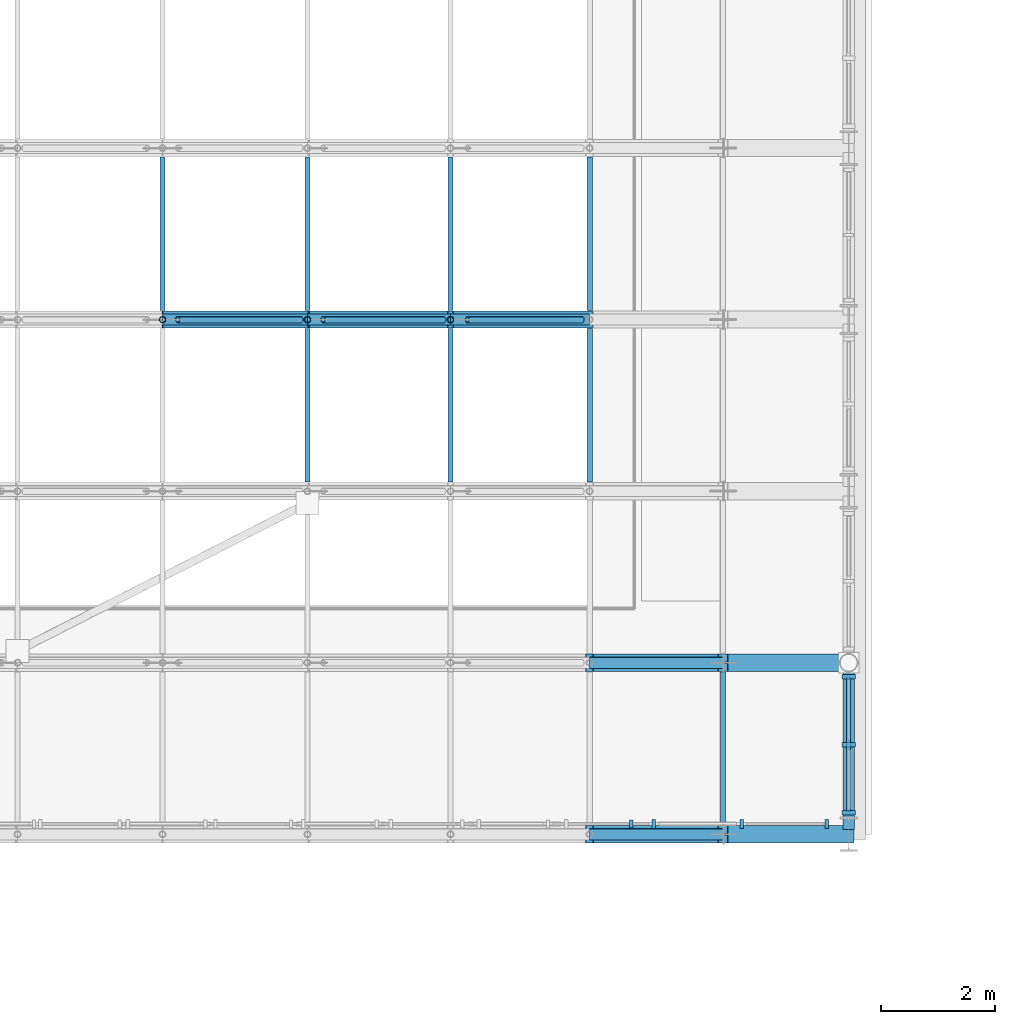
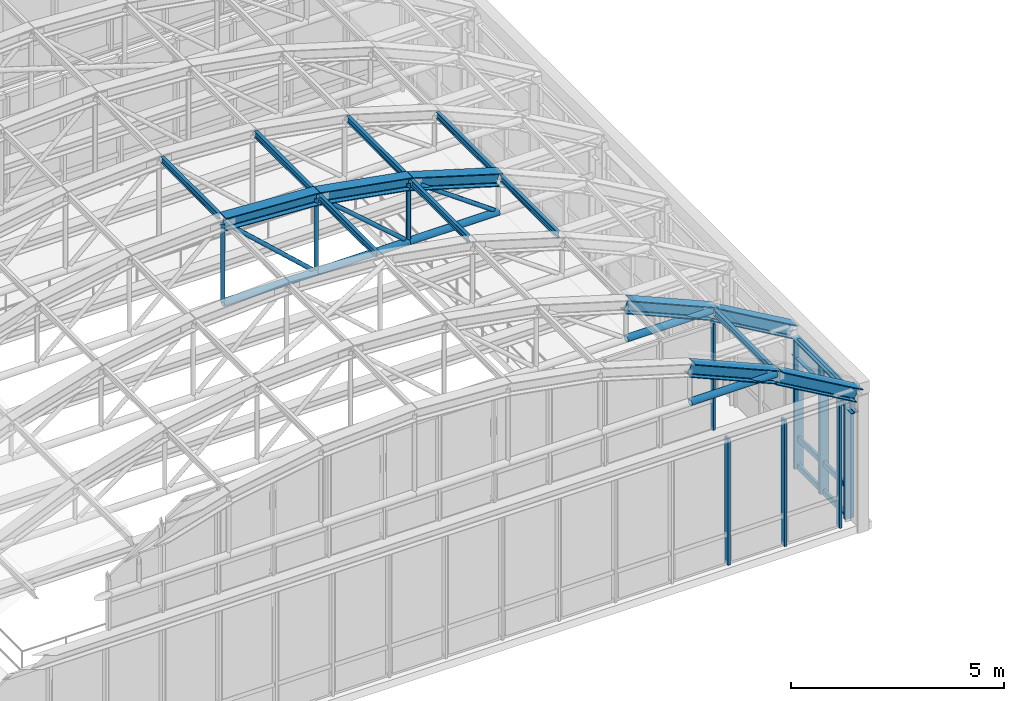
# One storey, part 62 of 148: 21 members, 16 beams, 3 elements without a shape of their own.
"""IFC4 building model written with IfcOpenShell, lengths in metres."""

from ifc_helpers import new_model, si_unit, direction, frame, origin, origin_2d, place, context, subcontext, project, spatial, rectangle, hollow_circle, i_section, extrude, material, layer, layer_set, material_profile, profile_set, type_object, element, aggregate, save


model = new_model("IFC4")

# Units and contexts
model_context = context("Model", 3, precision=1e-05, world=origin(), true_north=direction((0.0, 1.0)))
body_context = subcontext(model_context, "Body", "Model", "MODEL_VIEW")
ifc_project = project(units=[si_unit("LENGTHUNIT", "METRE"), si_unit("AREAUNIT", "SQUARE_METRE"), si_unit("VOLUMEUNIT", "CUBIC_METRE"), si_unit("PLANEANGLEUNIT", "RADIAN"), si_unit("MASSUNIT", "GRAM", prefix="KILO"), si_unit("THERMODYNAMICTEMPERATUREUNIT", "KELVIN"), si_unit("POWERUNIT", "WATT")], contexts=[model_context])

# Site, building, storey
site_placement = place(None, origin())
site = spatial("IfcSite", under=ifc_project, at=site_placement, CompositionType="ELEMENT")
building_placement = place(site_placement, origin())
building = spatial("IfcBuilding", under=site, at=building_placement, Name="Solvatero Civic Police Headquarters", CompositionType="ELEMENT")
storey_placement = place(building_placement, frame((0.0, 0.0, 5.10009765625)))
storey = spatial("IfcBuildingStorey", under=building, at=storey_placement, Name="L01", CompositionType="ELEMENT", Elevation=5.10009765625)

# Beams
ifc_material_1 = material(Name="Steel S355", Category="steel")
ifc_material_profile_1 = material_profile(ifc_material_1, i_section(OverallWidth=0.300048828125, OverallDepth=0.360107421875, WebThickness=0.012451171875, FlangeThickness=0.0224609375, FilletRadius=0.027099609375, at=origin_2d()), Name="HEB 360")
ifc_profile_set_1 = profile_set([ifc_material_profile_1], Name="Steel S355")
beam_type_1 = type_object("IfcBeamType", Name="BM-ST-HEB360", PredefinedType="BEAM", material=ifc_profile_set_1)
beam_1_placement = place(storey_placement, frame((84.27001953125, 41.5, 6.109619140625), z_axis=(0.917917593787, 0.0, -0.396771081377), x_axis=(0.0, 1.0, 0.0)))
element("IfcBeam", 1, at=beam_1_placement, inside=storey, type_object=beam_type_1, Name="VLT2 Tied-Arch Vault Top Chord F1.9", PredefinedType="BEAM", context=body_context, shape_type="SweptSolid", body=[
    extrude(i_section(OverallWidth=0.300048828125, OverallDepth=0.360107421875, WebThickness=0.012451171875, FlangeThickness=0.0224609375, FilletRadius=0.027099609375, at=origin_2d()), origin(), (0.0, 0.0, 1.0), 2.5400390625),
])
beam_2_placement = place(storey_placement, frame((86.6015625, 41.5, 5.079345703125), z_axis=(0.865485501766, 0.0, -0.500933973926), x_axis=(0.0, 1.0, 0.0)))
element("IfcBeam", 2, at=beam_2_placement, inside=storey, type_object=beam_type_1, Name="VLT2 Tied-Arch Vault Top Chord F1.10", PredefinedType="BEAM", context=body_context, shape_type="SweptSolid", body=[
    extrude(i_section(OverallWidth=0.300048828125, OverallDepth=0.360107421875, WebThickness=0.012451171875, FlangeThickness=0.0224609375, FilletRadius=0.027099609375, at=origin_2d()), origin(), (0.0, 0.0, 1.0), 2.540283203125),
])
beam_3_placement = place(storey_placement, frame((84.27001953125, 44.5, 6.109619140625), z_axis=(0.917917593787, 0.0, -0.396771081377), x_axis=(0.0, 1.0, 0.0)))
element("IfcBeam", 3, at=beam_3_placement, inside=storey, type_object=beam_type_1, Name="VLT2 Tied-Arch Vault Top Chord F2.9", PredefinedType="BEAM", context=body_context, shape_type="SweptSolid", body=[
    extrude(i_section(OverallWidth=0.300048828125, OverallDepth=0.360107421875, WebThickness=0.012451171875, FlangeThickness=0.0224609375, FilletRadius=0.027099609375, at=origin_2d()), origin(), (0.0, 0.0, 1.0), 2.5400390625),
])
beam_4_placement = place(storey_placement, frame((86.6015625, 44.5, 5.079345703125), z_axis=(0.865485501766, 0.0, -0.500933973926), x_axis=(0.0, 1.0, 0.0)))
element("IfcBeam", 4, at=beam_4_placement, inside=storey, type_object=beam_type_1, Name="VLT2 Tied-Arch Vault Top Chord F2.10", PredefinedType="BEAM", context=body_context, shape_type="SweptSolid", body=[
    extrude(i_section(OverallWidth=0.300048828125, OverallDepth=0.360107421875, WebThickness=0.012451171875, FlangeThickness=0.0224609375, FilletRadius=0.027099609375, at=origin_2d()), origin(), (0.0, 0.0, 1.0), 2.540283203125),
])
beam_5_placement = place(storey_placement, frame((76.800048828125, 50.5, 7.459228515625), z_axis=(0.99830210262, 0.0, -0.058248707316), x_axis=(0.0, 1.0, 0.0)))
element("IfcBeam", 5, at=beam_5_placement, inside=storey, type_object=beam_type_1, Name="VLT2 Tied-Arch Vault Top Chord F4.6", PredefinedType="BEAM", context=body_context, shape_type="SweptSolid", body=[
    extrude(i_section(OverallWidth=0.300048828125, OverallDepth=0.360107421875, WebThickness=0.012451171875, FlangeThickness=0.0224609375, FilletRadius=0.027099609375, at=origin_2d()), origin(), (0.0, 0.0, 1.0), 2.5400390625),
])
beam_6_placement = place(storey_placement, frame((79.335693359375, 50.5, 7.306640625), z_axis=(0.984752581279, 0.0, -0.173960781975), x_axis=(0.0, 1.0, 0.0)))
element("IfcBeam", 6, at=beam_6_placement, inside=storey, type_object=beam_type_1, Name="VLT2 Tied-Arch Vault Top Chord F4.7", PredefinedType="BEAM", context=body_context, shape_type="SweptSolid", body=[
    extrude(i_section(OverallWidth=0.300048828125, OverallDepth=0.360107421875, WebThickness=0.012451171875, FlangeThickness=0.0224609375, FilletRadius=0.027099609375, at=origin_2d()), origin(), (0.0, 0.0, 1.0), 2.540283203125),
])
beam_7_placement = place(storey_placement, frame((81.837158203125, 50.5, 6.85498046875), z_axis=(0.957813056997, 0.0, -0.287391975958), x_axis=(0.0, 1.0, 0.0)))
element("IfcBeam", 7, at=beam_7_placement, inside=storey, type_object=beam_type_1, Name="VLT2 Tied-Arch Vault Top Chord F4.8", PredefinedType="BEAM", context=body_context, shape_type="SweptSolid", body=[
    extrude(i_section(OverallWidth=0.300048828125, OverallDepth=0.360107421875, WebThickness=0.012451171875, FlangeThickness=0.0224609375, FilletRadius=0.027099609375, at=origin_2d()), origin(), (0.0, 0.0, 1.0), 2.5400390625),
])
ifc_material_profile_2 = material_profile(ifc_material_1, i_section(OverallWidth=0.091064453125, OverallDepth=0.179931640625, WebThickness=0.00537109375, FlangeThickness=0.008056640625, FilletRadius=0.009033203125, at=origin_2d()), Name="IPE 180")
ifc_profile_set_2 = profile_set([ifc_material_profile_2], Name="Steel S355")
beam_type_2 = type_object("IfcBeamType", Name="BM-ST-IPE180", PredefinedType="JOIST", material=ifc_profile_set_2)
for number, where, z_axis, x_axis, name in (
    (8, (86.6015625, 41.657958984375, 5.172119140625), (0.0, 1.0, 0.0), (-1.0, 0.0, 0.0), "VLT2 Vault Roof Purlin B1.9"),
    (9, (79.335693359375, 47.657958984375, 7.37451171875), (0.0, 1.0, 0.0), (-1.0, 0.0, 0.0), "VLT2 Vault Roof Purlin B3.6"),
    (10, (81.837158203125, 47.657958984375, 6.927978515625), (0.0, 1.0, 0.0), (-1.0, 0.0, 0.0), "VLT2 Vault Roof Purlin B3.7"),
    (11, (84.27001953125, 47.657958984375, 6.19091796875), (0.0, 1.0, 0.0), (-1.0, 0.0, 0.0), "VLT2 Vault Roof Purlin B3.8"),
    (12, (76.800048828125, 50.657958984375, 7.524658203125), (0.0, 1.0, 0.0), (-1.0, 0.0, 0.0), "VLT2 Vault Roof Purlin B4.5"),
    (13, (79.335693359375, 50.657958984375, 7.37451171875), (0.0, 1.0, 0.0), (-1.0, 0.0, 0.0), "VLT2 Vault Roof Purlin B4.6"),
    (14, (81.837158203125, 50.657958984375, 6.927978515625), (0.0, 1.0, 0.0), (-1.0, 0.0, 0.0), "VLT2 Vault Roof Purlin B4.7"),
    (15, (84.27001953125, 50.657958984375, 6.19091796875), (0.0, 1.0, 0.0), (-1.0, 0.0, 0.0), "VLT2 Vault Roof Purlin B4.8"),
):
    element("IfcBeam", number, at=place(storey_placement, frame(where, z_axis=z_axis, x_axis=x_axis)), inside=storey, type_object=beam_type_2, Name=name, PredefinedType="JOIST", context=body_context, shape_type="SweptSolid", body=[
        extrude(i_section(OverallWidth=0.091064453125, OverallDepth=0.179931640625, WebThickness=0.00537109375, FlangeThickness=0.008056640625, FilletRadius=0.009033203125, at=origin_2d()), origin(), (0.0, 0.0, 1.0), 2.68408203125),
    ])
ifc_material_profile_3 = material_profile(ifc_material_1, i_section(OverallWidth=0.199951171875, OverallDepth=0.5, WebThickness=0.01025390625, FlangeThickness=0.01611328125, FilletRadius=0.02099609375, at=origin_2d()), Name="IPE 500")
ifc_profile_set_3 = profile_set([ifc_material_profile_3], Name="Steel S355")
beam_type_3 = type_object("IfcBeamType", Name="BM-ST-IPE500", PredefinedType="BEAM", material=ifc_profile_set_3)
beam_8_placement = place(storey_placement, frame((88.800048828125, 41.580078125, 3.429931640625), z_axis=(0.0, 1.0, 0.0), x_axis=(-1.0, 0.0, 0.0)))
element("IfcBeam", 16, at=beam_8_placement, inside=storey, type_object=beam_type_3, Name="Primary girder BM-R2-VLT2-SPR-E-B1", PredefinedType="BEAM", context=body_context, shape_type="SweptSolid", body=[
    extrude(i_section(OverallWidth=0.199951171875, OverallDepth=0.5, WebThickness=0.01025390625, FlangeThickness=0.01611328125, FilletRadius=0.02099609375, at=origin_2d()), origin(), (0.0, 0.0, 1.0), 2.83984375),
])

# Curtain wall, members
ifc_material_2 = material(Name="Anodized Bronze Aluminium", Category="aluminium")
ifc_layer_1 = layer(ifc_material_2, 0.179931640625)
ifc_layer_set_1 = layer_set([ifc_layer_1], Name="Anodized Bronze Aluminium")
curtain_wall_type_1 = type_object("IfcCurtainWallType", Name="CW-HAL-GLZ", PredefinedType="USERDEFINED", material=ifc_layer_set_1)
curtain_wall_1_placement = place(storey_placement, origin())
curtain_wall_1 = element("IfcCurtainWall", 17, at=curtain_wall_1_placement, inside=storey, type_object=curtain_wall_type_1, Name="Curtain Wall CW-R2-L01-V2-E-B1", ObjectType="UNITISED", PredefinedType="USERDEFINED")
ifc_material_profile_4 = material_profile(ifc_material_2, rectangle(XDim=0.080078125, YDim=0.239990234375, at=origin_2d()), Name="ALU MULLION 80x240")
ifc_profile_set_4 = profile_set([ifc_material_profile_4], Name="Anodized Bronze Aluminium")
member_type_1 = type_object("IfcMemberType", Name="CWM-140x60", PredefinedType="MULLION", material=ifc_profile_set_4)
member_1_placement = place(storey_placement, frame((88.800048828125, 41.8798828125, 0.0), z_axis=(0.0, 0.0, 1.0), x_axis=(0.0, 1.0, 0.0)))
member_1 = element("IfcMember", 18, at=member_1_placement, type_object=member_type_1, Name="CW-R2-L01-V2-E-B1 Mullion 1", PredefinedType="MULLION", context=body_context, shape_type="SweptSolid", body=[
    extrude(rectangle(XDim=0.080078125, YDim=0.239990234375, at=origin_2d()), origin(), (0.0, 0.0, 1.0), 3.659912109375),
])
member_2_placement = place(storey_placement, frame((88.800048828125, 43.069091796875, 0.0), z_axis=(0.0, 0.0, 1.0), x_axis=(0.0, 1.0, 0.0)))
member_2 = element("IfcMember", 19, at=member_2_placement, type_object=member_type_1, Name="CW-R2-L01-V2-E-B1 Mullion 2", PredefinedType="MULLION", context=body_context, shape_type="SweptSolid", body=[
    extrude(rectangle(XDim=0.080078125, YDim=0.239990234375, at=origin_2d()), origin(), (0.0, 0.0, 1.0), 3.659912109375),
])
member_3_placement = place(storey_placement, frame((88.800048828125, 44.258056640625, 0.0), z_axis=(0.0, 0.0, 1.0), x_axis=(0.0, 1.0, 0.0)))
member_3 = element("IfcMember", 20, at=member_3_placement, type_object=member_type_1, Name="CW-R2-L01-V2-E-B1 Mullion 3", PredefinedType="MULLION", context=body_context, shape_type="SweptSolid", body=[
    extrude(rectangle(XDim=0.080078125, YDim=0.239990234375, at=origin_2d()), origin(), (0.0, 0.0, 1.0), 3.659912109375),
])

# Curtain wall, member
ifc_layer_2 = layer(ifc_material_2, 0.179931640625)
ifc_layer_set_2 = layer_set([ifc_layer_2], Name="Anodized Bronze Aluminium")
curtain_wall_type_2 = type_object("IfcCurtainWallType", Name="CW-VLT-TYMP", PredefinedType="USERDEFINED", material=ifc_layer_set_2)
curtain_wall_2_placement = place(storey_placement, origin())
curtain_wall_2 = element("IfcCurtainWall", 21, at=curtain_wall_2_placement, inside=storey, type_object=curtain_wall_type_2, Name="Curtain Wall CW-R2-L01-VLT2-S", ObjectType="UNITISED", PredefinedType="USERDEFINED")
ifc_material_profile_5 = material_profile(ifc_material_2, rectangle(XDim=0.06005859375, YDim=0.139892578125, at=origin_2d()), Name="ALU MULLION 60x140")
ifc_profile_set_5 = profile_set([ifc_material_profile_5], Name="Anodized Bronze Aluminium")
member_type_2 = type_object("IfcMemberType", Name="CWM-160x65", PredefinedType="MULLION", material=ifc_profile_set_5)
member_4_placement = place(storey_placement, frame((85.0, 41.679931640625, 3.97998046875), z_axis=(0.0, 0.0, 1.0), x_axis=(1.0, 0.0, 0.0)))
member_4 = element("IfcMember", 22, at=member_4_placement, type_object=member_type_2, Name="CW-R2-L01-VLT2-S Mullion 12", PredefinedType="MULLION", context=body_context, shape_type="SweptSolid", body=[
    extrude(rectangle(XDim=0.06005859375, YDim=0.139892578125, at=origin_2d()), origin(), (0.0, 0.0, 1.0), 3.06982421875),
])
aggregate(curtain_wall_2, [member_4])

# Curtain wall, members
curtain_wall_3_placement = place(storey_placement, origin())
curtain_wall_3 = element("IfcCurtainWall", 23, at=curtain_wall_3_placement, inside=storey, type_object=curtain_wall_type_1, Name="Curtain Wall CW-R2-L01-V2-S", ObjectType="UNITISED", PredefinedType="USERDEFINED")
ifc_material_profile_6 = material_profile(ifc_material_2, rectangle(XDim=0.06005859375, YDim=0.159912109375, at=origin_2d()), Name="ALU MULLION 60x160")
ifc_profile_set_6 = profile_set([ifc_material_profile_6], Name="Anodized Bronze Aluminium")
member_type_3 = type_object("IfcMemberType", Name="CWM-180x70", PredefinedType="MULLION", material=ifc_profile_set_6)
member_5_placement = place(storey_placement, frame((85.393310546875, 41.679931640625, 0.0), z_axis=(0.0, 0.0, 1.0), x_axis=(1.0, 0.0, 0.0)))
member_5 = element("IfcMember", 24, at=member_5_placement, type_object=member_type_3, Name="CW-R2-L01-V2-S Mullion 14", PredefinedType="MULLION", context=body_context, shape_type="SweptSolid", body=[
    extrude(rectangle(XDim=0.06005859375, YDim=0.159912109375, at=origin_2d()), origin(), (0.0, 0.0, 1.0), 3.619873046875),
])
member_6_placement = place(storey_placement, frame((86.9267578125, 41.679931640625, 0.0), z_axis=(0.0, 0.0, 1.0), x_axis=(1.0, 0.0, 0.0)))
member_6 = element("IfcMember", 25, at=member_6_placement, type_object=member_type_3, Name="CW-R2-L01-V2-S Mullion 15", PredefinedType="MULLION", context=body_context, shape_type="SweptSolid", body=[
    extrude(rectangle(XDim=0.06005859375, YDim=0.159912109375, at=origin_2d()), origin(), (0.0, 0.0, 1.0), 3.619873046875),
])
member_7_placement = place(storey_placement, frame((88.419921875, 41.679931640625, 0.0), z_axis=(0.0, 0.0, 1.0), x_axis=(1.0, 0.0, 0.0)))
member_7 = element("IfcMember", 26, at=member_7_placement, type_object=member_type_3, Name="CW-R2-L01-V2-S Mullion 16", PredefinedType="MULLION", context=body_context, shape_type="SweptSolid", body=[
    extrude(rectangle(XDim=0.06005859375, YDim=0.159912109375, at=origin_2d()), origin(), (0.0, 0.0, 1.0), 3.619873046875),
])
aggregate(curtain_wall_3, [member_5, member_6, member_7])

# Member
ifc_material_profile_7 = material_profile(ifc_material_2, rectangle(XDim=0.070068359375, YDim=0.159912109375, at=origin_2d()), Name="ALU TRANSOM 70x160")
ifc_profile_set_7 = profile_set([ifc_material_profile_7], Name="Anodized Bronze Aluminium")
member_type_4 = type_object("IfcMemberType", Name="CWT-120x55", PredefinedType="USERDEFINED", material=ifc_profile_set_7)
member_8_placement = place(storey_placement, frame((88.800048828125, 41.889892578125, 0.039794921875), z_axis=(0.0, 1.0, 0.0), x_axis=(-1.0, 0.0, 0.0)))
member_8 = element("IfcMember", 27, at=member_8_placement, type_object=member_type_4, Name="CW-R2-L01-V2-E-B1 Transom 1", ObjectType="TRANSOM", PredefinedType="USERDEFINED", context=body_context, shape_type="SweptSolid", body=[
    extrude(rectangle(XDim=0.070068359375, YDim=0.159912109375, at=origin_2d()), origin(), (0.0, 0.0, 1.0), 2.358154296875),
])

member_9_placement = place(storey_placement, frame((88.800048828125, 41.889892578125, 0.849853515625), z_axis=(0.0, 1.0, 0.0), x_axis=(-1.0, 0.0, 0.0)))
member_9 = element("IfcMember", 28, at=member_9_placement, type_object=member_type_4, Name="CW-R2-L01-V2-E-B1 Transom 2", ObjectType="TRANSOM", PredefinedType="USERDEFINED", context=body_context, shape_type="SweptSolid", body=[
    extrude(rectangle(XDim=0.070068359375, YDim=0.159912109375, at=origin_2d()), origin(), (0.0, 0.0, 1.0), 2.358154296875),
])

member_10_placement = place(storey_placement, frame((88.800048828125, 41.889892578125, 3.619873046875), z_axis=(0.0, 1.0, 0.0), x_axis=(-1.0, 0.0, 0.0)))
member_10 = element("IfcMember", 29, at=member_10_placement, type_object=member_type_4, Name="CW-R2-L01-V2-E-B1 Transom 3", ObjectType="TRANSOM", PredefinedType="USERDEFINED", context=body_context, shape_type="SweptSolid", body=[
    extrude(rectangle(XDim=0.070068359375, YDim=0.159912109375, at=origin_2d()), origin(), (0.0, 0.0, 1.0), 2.358154296875),
])

aggregate(curtain_wall_1, [member_1, member_2, member_3, member_8, member_9, member_10])

# Members
ifc_material_profile_8 = material_profile(ifc_material_1, hollow_circle(Radius=0.05712890625, WallThickness=0.008056640625, at=origin_2d()), Name="CHS 114.3x8.0")
ifc_profile_set_8 = profile_set([ifc_material_profile_8], Name="Steel S355")
member_type_5 = type_object("IfcMemberType", Name="MB-HNG-CHS114", PredefinedType="STRUT", material=ifc_profile_set_8)
member_11_placement = place(storey_placement, frame((79.218017578125, 50.5, 5.244384765625), z_axis=(-0.736703146359, 0.0, 0.676216292428), x_axis=(0.0, -1.0, 0.0)))
element("IfcMember", 30, at=member_11_placement, inside=storey, type_object=member_type_5, Name="VLT2 Vault Truss Diagonal Web F4.5", PredefinedType="STRUT", context=body_context, shape_type="SweptSolid", body=[
    extrude(hollow_circle(Radius=0.05712890625, WallThickness=0.008056640625, at=origin_2d()), origin(), (0.0, 0.0, 1.0), 2.92236328125),
])
member_12_placement = place(storey_placement, frame((81.716552734375, 50.5, 5.2412109375), z_axis=(-0.753915676924, 0.0, 0.656971195783), x_axis=(0.0, -1.0, 0.0)))
element("IfcMember", 31, at=member_12_placement, inside=storey, type_object=member_type_5, Name="VLT2 Vault Truss Diagonal Web F4.6", PredefinedType="STRUT", context=body_context, shape_type="SweptSolid", body=[
    extrude(hollow_circle(Radius=0.05712890625, WallThickness=0.008056640625, at=origin_2d()), origin(), (0.0, 0.0, 1.0), 2.7978515625),
])
member_13_placement = place(storey_placement, frame((84.139892578125, 50.5, 5.229248046875), z_axis=(-0.813766862459, 0.0, 0.581191443126), x_axis=(0.0, -1.0, 0.0)))
element("IfcMember", 32, at=member_13_placement, inside=storey, type_object=member_type_5, Name="VLT2 Vault Truss Diagonal Web F4.7", PredefinedType="STRUT", context=body_context, shape_type="SweptSolid", body=[
    extrude(hollow_circle(Radius=0.05712890625, WallThickness=0.008056640625, at=origin_2d()), origin(), (0.0, 0.0, 1.0), 2.469970703125),
])
member_14_placement = place(storey_placement, frame((76.800048828125, 50.5, 5.17626953125), z_axis=(0.0, 0.0, 1.0), x_axis=(1.0, 0.0, 0.0)))
element("IfcMember", 33, at=member_14_placement, inside=storey, type_object=member_type_5, Name="VLT2 Vault Vertical Hanger F4.5", PredefinedType="STRUT", context=body_context, shape_type="SweptSolid", body=[
    extrude(hollow_circle(Radius=0.05712890625, WallThickness=0.008056640625, at=origin_2d()), origin(), (0.0, 0.0, 1.0), 2.237548828125),
])
member_15_placement = place(storey_placement, frame((79.335693359375, 50.5, 5.17626953125), z_axis=(0.0, 0.0, 1.0), x_axis=(1.0, 0.0, 0.0)))
element("IfcMember", 34, at=member_15_placement, inside=storey, type_object=member_type_5, Name="VLT2 Vault Vertical Hanger F4.6", PredefinedType="STRUT", context=body_context, shape_type="SweptSolid", body=[
    extrude(hollow_circle(Radius=0.05712890625, WallThickness=0.008056640625, at=origin_2d()), origin(), (0.0, 0.0, 1.0), 2.089599609375),
])
member_16_placement = place(storey_placement, frame((81.837158203125, 50.5, 5.17626953125), z_axis=(0.0, 0.0, 1.0), x_axis=(1.0, 0.0, 0.0)))
element("IfcMember", 35, at=member_16_placement, inside=storey, type_object=member_type_5, Name="VLT2 Vault Vertical Hanger F4.7", PredefinedType="STRUT", context=body_context, shape_type="SweptSolid", body=[
    extrude(hollow_circle(Radius=0.05712890625, WallThickness=0.008056640625, at=origin_2d()), origin(), (0.0, 0.0, 1.0), 1.647705078125),
])
ifc_material_profile_9 = material_profile(ifc_material_1, hollow_circle(Radius=0.096923828125, WallThickness=0.010009765625, at=origin_2d()), Name="CHS 193.7x10.0")
ifc_profile_set_9 = profile_set([ifc_material_profile_9], Name="Steel S355")
member_type_6 = type_object("IfcMemberType", Name="MB-TIE-CHS194", PredefinedType="CHORD", material=ifc_profile_set_9)
for number, where, z_axis, x_axis, name in (
    (36, (84.27001953125, 41.5, 5.13623046875), (1.0, 0.0, 0.0), (0.0, 1.0, 0.0), "VLT2 Vault Horizontal Tie Chord F1.8"),
    (37, (84.27001953125, 44.5, 5.13623046875), (1.0, 0.0, 0.0), (0.0, 1.0, 0.0), "VLT2 Vault Horizontal Tie Chord F2.8"),
):
    element("IfcMember", number, at=place(storey_placement, frame(where, z_axis=z_axis, x_axis=x_axis)), inside=storey, type_object=member_type_6, Name=name, PredefinedType="CHORD", context=body_context, shape_type="SweptSolid", body=[
        extrude(hollow_circle(Radius=0.096923828125, WallThickness=0.010009765625, at=origin_2d()), origin(), (0.0, 0.0, 1.0), 2.33154296875),
    ])
member_17_placement = place(storey_placement, frame((76.800048828125, 50.5, 5.13623046875), z_axis=(1.0, 0.0, 0.0), x_axis=(0.0, 1.0, 0.0)))
element("IfcMember", 38, at=member_17_placement, inside=storey, type_object=member_type_6, Name="VLT2 Vault Horizontal Tie Chord F4.5", PredefinedType="CHORD", context=body_context, shape_type="SweptSolid", body=[
    extrude(hollow_circle(Radius=0.096923828125, WallThickness=0.010009765625, at=origin_2d()), origin(), (0.0, 0.0, 1.0), 2.53564453125),
])
member_18_placement = place(storey_placement, frame((79.335693359375, 50.5, 5.13623046875), z_axis=(1.0, 0.0, 0.0), x_axis=(0.0, 1.0, 0.0)))
element("IfcMember", 39, at=member_18_placement, inside=storey, type_object=member_type_6, Name="VLT2 Vault Horizontal Tie Chord F4.6", PredefinedType="CHORD", context=body_context, shape_type="SweptSolid", body=[
    extrude(hollow_circle(Radius=0.096923828125, WallThickness=0.010009765625, at=origin_2d()), origin(), (0.0, 0.0, 1.0), 2.50146484375),
])
member_19_placement = place(storey_placement, frame((81.837158203125, 50.5, 5.13623046875), z_axis=(1.0, 0.0, 0.0), x_axis=(0.0, 1.0, 0.0)))
element("IfcMember", 40, at=member_19_placement, inside=storey, type_object=member_type_6, Name="VLT2 Vault Horizontal Tie Chord F4.7", PredefinedType="CHORD", context=body_context, shape_type="SweptSolid", body=[
    extrude(hollow_circle(Radius=0.096923828125, WallThickness=0.010009765625, at=origin_2d()), origin(), (0.0, 0.0, 1.0), 2.432861328125),
])

save(model, "model.ifc")
